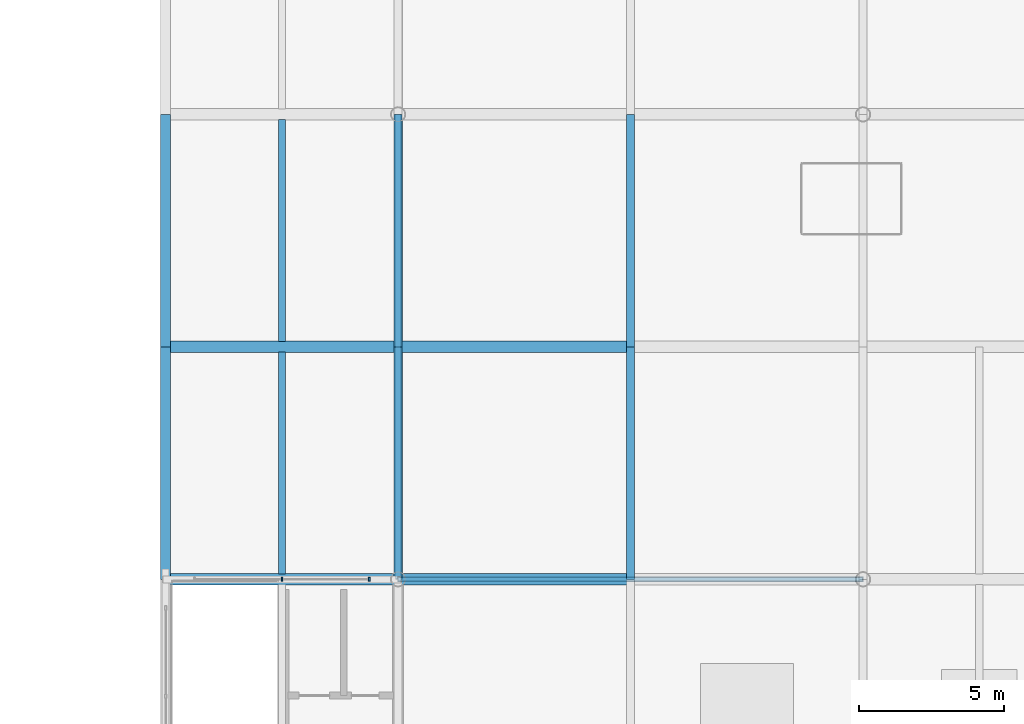
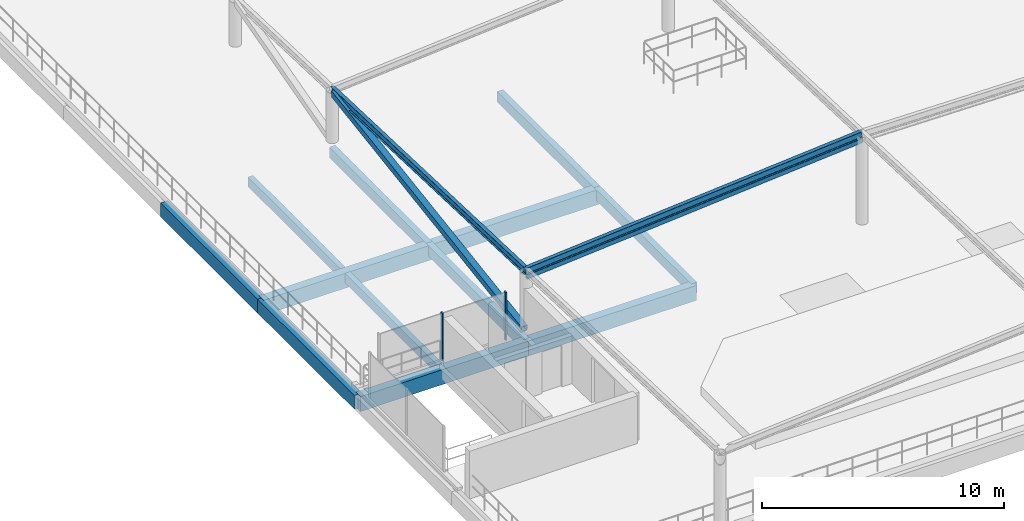
# One storey, part 17 of 76: 14 beams, 4 members, 1 element without a shape of its own.
"""IFC4 building model written with IfcOpenShell, lengths in metres."""

from ifc_helpers import new_model, si_unit, derived_unit, direction, frame, origin, origin_2d, place, context, subcontext, project, spatial, rectangle, hollow_rectangle, i_section, extrude, material, layer, layer_set, material_profile, profile_set, type_object, element, aggregate, save


model = new_model("IFC4")

# Units and contexts
model_context = context("Model", 3, precision=1e-05, world=origin(), true_north=direction((0.0, 1.0)))
body_context = subcontext(model_context, "Body", "Model", "MODEL_VIEW")
ifc_project = project(units=[si_unit("LENGTHUNIT", "METRE"), si_unit("AREAUNIT", "SQUARE_METRE"), si_unit("VOLUMEUNIT", "CUBIC_METRE"), si_unit("PLANEANGLEUNIT", "RADIAN"), si_unit("MASSUNIT", "GRAM", prefix="KILO"), si_unit("THERMODYNAMICTEMPERATUREUNIT", "KELVIN"), derived_unit("THERMALTRANSMITTANCEUNIT", [(si_unit("POWERUNIT", "WATT"), 1), (si_unit("AREAUNIT", "SQUARE_METRE"), -1), (si_unit("THERMODYNAMICTEMPERATUREUNIT", "KELVIN"), -1)])], contexts=[model_context])

# Site, building, storey
site_placement = place(None, origin())
site = spatial("IfcSite", under=ifc_project, at=site_placement, CompositionType="ELEMENT")
building_placement = place(site_placement, origin())
building = spatial("IfcBuilding", under=site, at=building_placement, Name="Haiyu Intermodal Mobility Hub", CompositionType="ELEMENT")
storey_placement = place(building_placement, frame((0.0, 0.0, 17.300048828125)))
storey = spatial("IfcBuildingStorey", under=building, at=storey_placement, Name="L04", CompositionType="ELEMENT", Elevation=17.300048828125)

# Beams
ifc_material_1 = material(Name="Concrete C40", Category="concrete")
ifc_material_profile_1 = material_profile(ifc_material_1, rectangle(XDim=0.39990234375, YDim=0.75, at=origin_2d()), Name="RCB400x750")
ifc_profile_set_1 = profile_set([ifc_material_profile_1], Name="Concrete C40")
beam_type_1 = type_object("IfcBeamType", Name="BM-CB03", PredefinedType="BEAM", material=ifc_profile_set_1)
for number, where, z_axis, x_axis, name in (
    (1, (154.0, 32.0, -0.675048828125), (1.0, 0.0, 0.0), (0.0, 1.0, 0.0), "BM-V5G-L04-014"),
    (2, (162.0, 32.0, -0.675048828125), (1.0, 0.0, 0.0), (0.0, 1.0, 0.0), "BM-V5G-L04-015"),
    (3, (154.0, 40.0, -0.675048828125), (1.0, 0.0, 0.0), (0.0, 1.0, 0.0), "BM-V5G-L04-021"),
    (4, (162.0, 40.0, -0.675048828125), (1.0, 0.0, 0.0), (0.0, 1.0, 0.0), "BM-V5G-L04-022"),
):
    element("IfcBeam", number, at=place(storey_placement, frame(where, z_axis=z_axis, x_axis=x_axis)), inside=storey, type_object=beam_type_1, Name=name, PredefinedType="BEAM", context=body_context, shape_type="SweptSolid", body=[
        extrude(rectangle(XDim=0.39990234375, YDim=0.75, at=origin_2d()), origin(), (0.0, 0.0, 1.0), 8.0),
    ])
ifc_material_profile_2 = material_profile(ifc_material_1, rectangle(XDim=0.35009765625, YDim=0.699951171875, at=origin_2d()), Name="RCB350x700")
ifc_profile_set_2 = profile_set([ifc_material_profile_2], Name="Concrete C40")
beam_type_2 = type_object("IfcBeamType", Name="BM-CB06", PredefinedType="BEAM", material=ifc_profile_set_2)
for number, where, z_axis, x_axis, name in (
    (5, (154.0, 32.0, -0.650146484375), (0.0, 1.0, 0.0), (-1.0, 0.0, 0.0), "BM-V5T-L04-003"),
    (6, (154.0, 40.0, -0.650146484375), (0.0, 1.0, 0.0), (-1.0, 0.0, 0.0), "BM-V5T-L04-004"),
):
    element("IfcBeam", number, at=place(storey_placement, frame(where, z_axis=z_axis, x_axis=x_axis)), inside=storey, type_object=beam_type_2, Name=name, PredefinedType="BEAM", context=body_context, shape_type="SweptSolid", body=[
        extrude(rectangle(XDim=0.35009765625, YDim=0.699951171875, at=origin_2d()), origin(), (0.0, 0.0, 1.0), 8.0),
    ])
ifc_material_profile_3 = material_profile(ifc_material_1, rectangle(XDim=0.280029296875, YDim=0.5400390625, at=origin_2d()), Name="RCB280x540")
ifc_profile_set_3 = profile_set([ifc_material_profile_3], Name="Concrete C40")
beam_type_3 = type_object("IfcBeamType", Name="BM-CB08", PredefinedType="JOIST", material=ifc_profile_set_3)
for number, where, z_axis, x_axis, name in (
    (7, (162.0, 32.0, -0.570068359375), (0.0, 1.0, 0.0), (-1.0, 0.0, 0.0), "BM-V5T-L04-011"),
    (8, (162.0, 40.0, -0.570068359375), (0.0, 1.0, 0.0), (-1.0, 0.0, 0.0), "BM-V5T-L04-012"),
    (9, (170.0, 32.0, -0.570068359375), (0.0, 1.0, 0.0), (-1.0, 0.0, 0.0), "BM-V5T-L04-019"),
    (10, (170.0, 40.0, -0.570068359375), (0.0, 1.0, 0.0), (-1.0, 0.0, 0.0), "BM-V5T-L04-020"),
):
    element("IfcBeam", number, at=place(storey_placement, frame(where, z_axis=z_axis, x_axis=x_axis)), inside=storey, type_object=beam_type_3, Name=name, PredefinedType="JOIST", context=body_context, shape_type="SweptSolid", body=[
        extrude(rectangle(XDim=0.280029296875, YDim=0.5400390625, at=origin_2d()), origin(), (0.0, 0.0, 1.0), 8.0),
    ])
ifc_material_profile_4 = material_profile(ifc_material_1, rectangle(XDim=0.25, YDim=0.47998046875, at=origin_2d()), Name="RCB250x480")
ifc_profile_set_4 = profile_set([ifc_material_profile_4], Name="Concrete C40")
beam_type_4 = type_object("IfcBeamType", Name="BM-CB09", PredefinedType="JOIST", material=ifc_profile_set_4)
for number, where, z_axis, x_axis, name in (
    (11, (158.0, 32.18505859375, -0.5400390625), (0.0, 1.0, 0.0), (-1.0, 0.0, 0.0), "BM-V5J-L04-003"),
    (12, (158.0, 40.18505859375, -0.5400390625), (0.0, 1.0, 0.0), (-1.0, 0.0, 0.0), "BM-V5J-L04-004"),
):
    element("IfcBeam", number, at=place(storey_placement, frame(where, z_axis=z_axis, x_axis=x_axis)), inside=storey, type_object=beam_type_4, Name=name, PredefinedType="JOIST", context=body_context, shape_type="SweptSolid", body=[
        extrude(rectangle(XDim=0.25, YDim=0.47998046875, at=origin_2d()), origin(), (0.0, 0.0, 1.0), 7.6298828125),
    ])
ifc_material_2 = material(Name="Steel Q355C", Category="steel")
ifc_material_profile_5 = material_profile(ifc_material_2, i_section(OverallWidth=0.175048828125, OverallDepth=0.35009765625, WebThickness=0.007080078125, FlangeThickness=0.010986328125, FilletRadius=0.013916015625, at=origin_2d()), Name="HN350x175x7x11")
ifc_profile_set_5 = profile_set([ifc_material_profile_5], Name="Steel Q355C")
beam_type_5 = type_object("IfcBeamType", Name="BM-SB09", PredefinedType="JOIST", material=ifc_profile_set_5)
beam_1_placement = place(storey_placement, frame((162.0, 32.0, 3.1298828125), z_axis=(0.0, 0.999343990912, -0.036215850501), x_axis=(-1.0, 0.0, 0.0)))
element("IfcBeam", 13, at=beam_1_placement, inside=storey, type_object=beam_type_5, Name="BM-V5WR-L04-002", PredefinedType="JOIST", context=body_context, shape_type="SweptSolid", body=[
    extrude(i_section(OverallWidth=0.175048828125, OverallDepth=0.35009765625, WebThickness=0.007080078125, FlangeThickness=0.010986328125, FilletRadius=0.013916015625, at=origin_2d()), origin(), (0.0, 0.0, 1.0), 16.010498046875),
])
beam_2_placement = place(storey_placement, frame((162.0, 32.0, 3.1298828125), z_axis=(0.99674462497, 0.0, 0.080623523818), x_axis=(0.0, 1.0, 0.0)))
element("IfcBeam", 14, at=beam_2_placement, inside=storey, type_object=beam_type_5, Name="BM-V5WP-L04-016", PredefinedType="JOIST", context=body_context, shape_type="SweptSolid", body=[
    extrude(i_section(OverallWidth=0.175048828125, OverallDepth=0.35009765625, WebThickness=0.007080078125, FlangeThickness=0.010986328125, FilletRadius=0.013916015625, at=origin_2d()), origin(), (0.0, 0.0, 1.0), 16.05224609375),
])

# Curtain wall, members
ifc_material_3 = material(Name="Low-e laminated insulating glass", Category="glass")
ifc_layer = layer(ifc_material_3, 0.199951171875)
ifc_layer_set = layer_set([ifc_layer], Name="Low-e laminated insulating glass")
curtain_wall_type = type_object("IfcCurtainWallType", Name="CW-CW03", PredefinedType="NOTDEFINED", material=ifc_layer_set)
curtain_wall_placement = place(storey_placement, origin())
curtain_wall = element("IfcCurtainWall", 15, at=curtain_wall_placement, inside=storey, type_object=curtain_wall_type, Name="Curtain Wall CW-CPAR-C8-N", PredefinedType="NOTDEFINED")
ifc_material_4 = material(Name="Anodised aluminium 6063-T6", Category="aluminium")
ifc_material_profile_6 = material_profile(ifc_material_4, rectangle(XDim=0.06005859375, YDim=0.14501953125, at=origin_2d()), Name="ALU60x145")
ifc_profile_set_6 = profile_set([ifc_material_profile_6], Name="Anodised aluminium 6063-T6")
member_type_1 = type_object("IfcMemberType", Name="CWM-ML03", PredefinedType="MULLION", material=ifc_profile_set_6)
member_1_placement = place(storey_placement, frame((161.010009765625, 32.0, 0.0), z_axis=(0.0, 0.0, 1.0), x_axis=(1.0, 0.0, 0.0)))
member_1 = element("IfcMember", 16, at=member_1_placement, type_object=member_type_1, Name="CW-CPAR-C8-N-ML01", PredefinedType="MULLION", context=body_context, shape_type="SweptSolid", body=[
    extrude(rectangle(XDim=0.06005859375, YDim=0.14501953125, at=origin_2d()), origin(), (0.0, 0.0, 1.0), 2.4208984375),
])
member_2_placement = place(storey_placement, frame((158.0, 32.0, 0.0), z_axis=(0.0, 0.0, 1.0), x_axis=(1.0, 0.0, 0.0)))
member_2 = element("IfcMember", 17, at=member_2_placement, type_object=member_type_1, Name="CW-CPAR-C8-N-ML02", PredefinedType="MULLION", context=body_context, shape_type="SweptSolid", body=[
    extrude(rectangle(XDim=0.06005859375, YDim=0.14501953125, at=origin_2d()), origin(), (0.0, 0.0, 1.0), 2.4208984375),
])
aggregate(curtain_wall, [member_1, member_2])

# Members
ifc_material_profile_7 = material_profile(ifc_material_2, hollow_rectangle(XDim=0.300048828125, YDim=0.300048828125, WallThickness=0.011962890625, at=origin_2d()), Name="SHS300x300x12")
ifc_profile_set_7 = profile_set([ifc_material_profile_7], Name="Steel Q355C")
member_type_2 = type_object("IfcMemberType", Name="MEM-BR04", PredefinedType="BRACE", material=ifc_profile_set_7)
member_3_placement = place(storey_placement, frame((162.0, 32.159912109375, 0.099853515625), z_axis=(0.0, 0.988486887819, 0.151306551773), x_axis=(-1.0, 0.0, 0.0)))
element("IfcMember", 18, at=member_3_placement, inside=storey, type_object=member_type_2, Name="Canopy Wave V-Strut L04-002", PredefinedType="BRACE", context=body_context, shape_type="SweptSolid", body=[
    extrude(hollow_rectangle(XDim=0.300048828125, YDim=0.300048828125, WallThickness=0.011962890625, at=origin_2d()), origin(), (0.0, 0.0, 1.0), 15.86279296875),
])
ifc_material_profile_8 = material_profile(ifc_material_2, hollow_rectangle(XDim=0.125, YDim=0.25, WallThickness=0.008056640625, at=origin_2d()), Name="RHS250x125x8")
ifc_profile_set_8 = profile_set([ifc_material_profile_8], Name="Steel Q355C")
member_type_3 = type_object("IfcMemberType", Name="MEM-PR02", PredefinedType="PURLIN", material=ifc_profile_set_8)
member_4_placement = place(storey_placement, frame((162.0, 32.0, 2.83984375), z_axis=(0.99674462497, 0.0, 0.080623523818), x_axis=(0.0, 1.0, 0.0)))
element("IfcMember", 19, at=member_4_placement, inside=storey, type_object=member_type_3, Name="Solar Pergola Tie 01", PredefinedType="PURLIN", context=body_context, shape_type="SweptSolid", body=[
    extrude(hollow_rectangle(XDim=0.125, YDim=0.25, WallThickness=0.008056640625, at=origin_2d()), origin(), (0.0, 0.0, 1.0), 16.05224609375),
])

save(model, "model.ifc")
